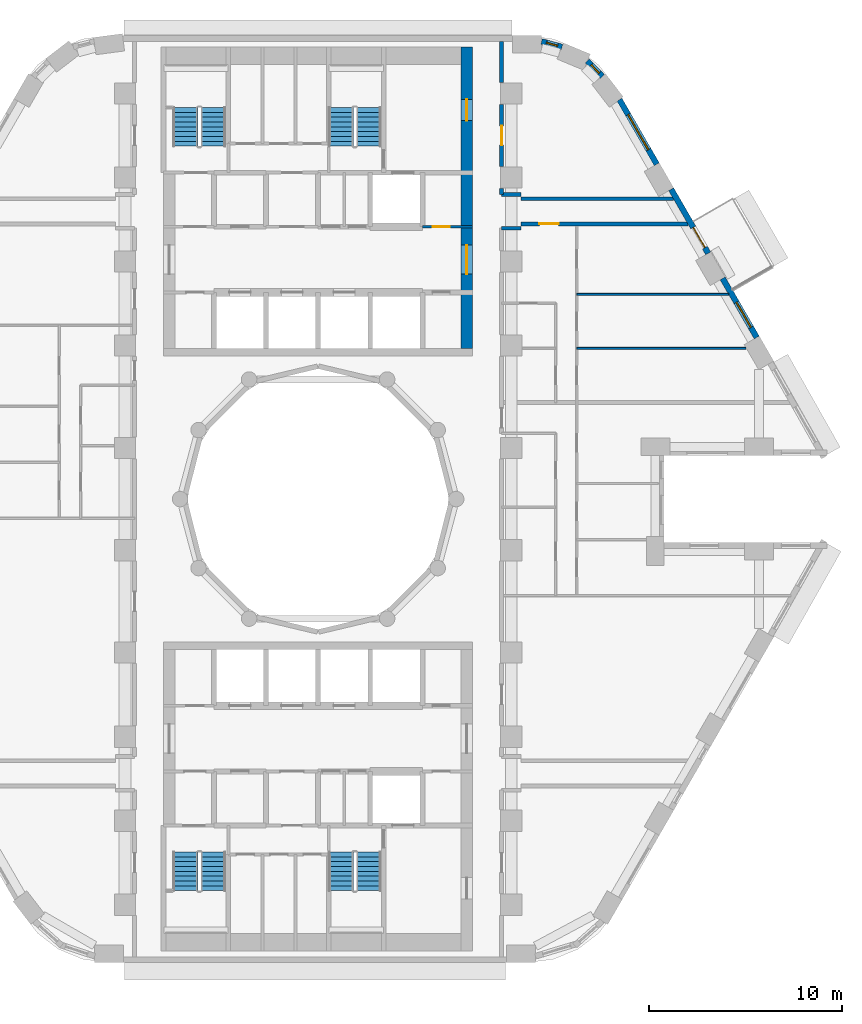
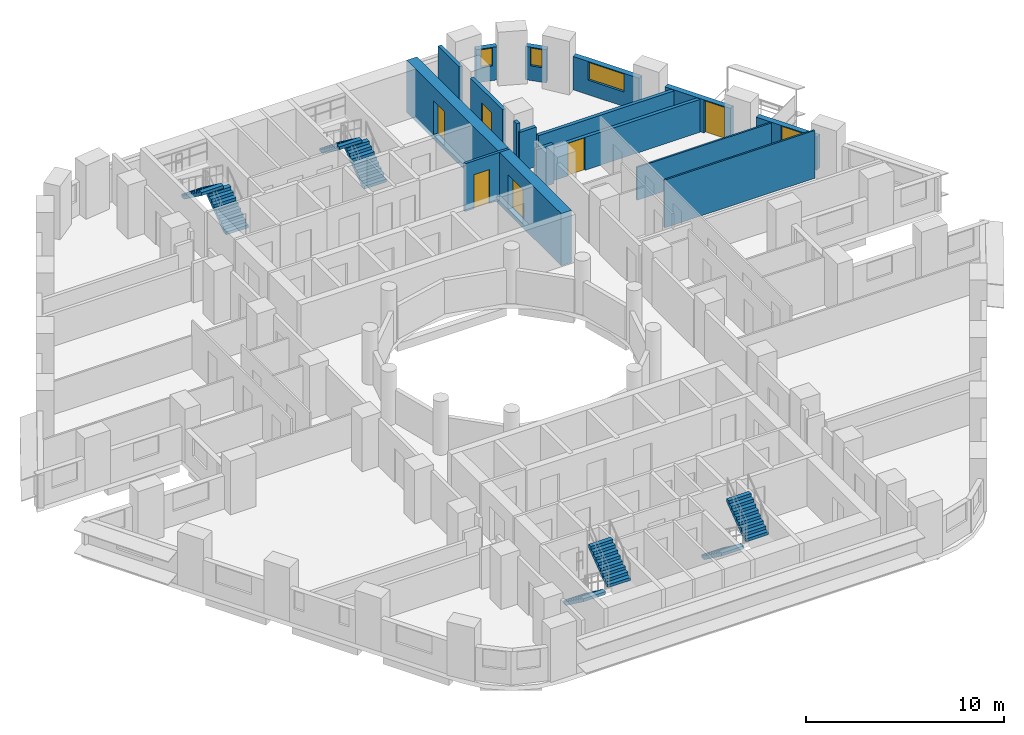
# One storey, part 9 of 13: 16 walls, 8 stair flights, 6 doors, 4 windows, 10 openings, 4 elements without a shape of their own.
"""IFC4 building model written with IfcOpenShell, lengths in metres."""

import ifcopenshell
import ifcopenshell.guid

model = None  # the IFC model being written
_history = None  # IfcOwnerHistory: only IFC2X3 demands one
_inside = {}  # id of a spatial element -> (the spatial element, [elements in it])
_under = {}  # id of a project, library or spatial element -> (it, [spatial elements below it])
_declared = {}  # id of a project -> (the project, [libraries it declares])
_typed = {}  # id of a type object -> (the type object, [elements of that type])
_made_of = {}  # id of a material, layer set ... -> (it, [elements and type objects made of it])


def new_model(schema):
    """Start an empty IFC model of exactly this schema.

    Asked for "IFC4X3", IfcOpenShell would pick the latest addendum, in which some entities
    have other attributes; the version numbers below select the first issue.
    IFC2X3 requires an IfcOwnerHistory on every rooted entity: one is made here for all.
    """
    global model, _history
    if schema == "IFC4X3":
        model = ifcopenshell.file(schema_version=(4, 3, 0, 0))
    else:
        model = ifcopenshell.file(schema=schema)
    _inside.clear()
    _under.clear()
    _declared.clear()
    _typed.clear()
    _made_of.clear()
    _history = None
    if model.schema == "IFC2X3":
        org = make("IfcOrganization", Name="unknown")
        user = make(
            "IfcPersonAndOrganization",
            ThePerson=make("IfcPerson", FamilyName="unknown"),
            TheOrganization=org,
        )
        app = make(
            "IfcApplication",
            ApplicationDeveloper=org,
            Version="unknown",
            ApplicationFullName="unknown",
            ApplicationIdentifier="unknown",
        )
        _history = make(
            "IfcOwnerHistory",
            OwningUser=user,
            OwningApplication=app,
            ChangeAction="ADDED",
            CreationDate=0,
        )
    return model


def make(cls, **values):
    """One entity of the class cls with the attributes given. An attribute that is None is left unset."""
    return model.create_entity(
        cls, **{name: value for name, value in values.items() if value is not None}
    )


def rooted(cls, **values):
    """An entity with a GlobalId (a new one), such as an element, a storey or a relation."""
    return make(cls, GlobalId=ifcopenshell.guid.new(), OwnerHistory=_history, **values)


def si_unit(unit_type, name, prefix=None):
    """IfcSIUnit, for example si_unit("LENGTHUNIT", "METRE", prefix="MILLI")."""
    return make("IfcSIUnit", UnitType=unit_type, Prefix=prefix, Name=name)


def assignment(units):
    """IfcUnitAssignment: the units of a project."""
    return None if units is None else make("IfcUnitAssignment", Units=units)


def point(xyz):
    """IfcCartesianPoint."""
    return None if xyz is None else make("IfcCartesianPoint", Coordinates=xyz)


def direction(xyz):
    """IfcDirection."""
    return None if xyz is None else make("IfcDirection", DirectionRatios=xyz)


def frame(location, z_axis=None, x_axis=None):
    """IfcAxis2Placement3D, a coordinate frame: its origin and axes. An axis left out is left unset."""
    return make(
        "IfcAxis2Placement3D",
        Location=point(location),
        Axis=direction(z_axis),
        RefDirection=direction(x_axis),
    )


def frame_2d(location, x_axis=None):
    """IfcAxis2Placement2D, a coordinate frame in the plane: its origin and x axis."""
    return make(
        "IfcAxis2Placement2D", Location=point(location), RefDirection=direction(x_axis)
    )


def origin():
    """The frame at (0, 0, 0) with its axes left unset."""
    return frame((0.0, 0.0, 0.0))


def place(relative_to, where):
    """IfcLocalPlacement: puts the frame where relative to a parent placement (None: the world)."""
    return make(
        "IfcLocalPlacement", PlacementRelTo=relative_to, RelativePlacement=where
    )


def context(
    kind, dimensions, precision=None, world=None, true_north=None, identifier=None
):
    """IfcGeometricRepresentationContext, for example the 3D "Model" context."""
    return make(
        "IfcGeometricRepresentationContext",
        ContextIdentifier=identifier,
        ContextType=kind,
        CoordinateSpaceDimension=dimensions,
        Precision=precision,
        WorldCoordinateSystem=world,
        TrueNorth=true_north,
    )


def subcontext(parent, identifier, kind, view, scale=None):
    """IfcGeometricRepresentationSubContext, for example "Body" below "Model"."""
    return make(
        "IfcGeometricRepresentationSubContext",
        ContextIdentifier=identifier,
        ContextType=kind,
        ParentContext=parent,
        TargetScale=scale,
        TargetView=view,
    )


def project(units=None, contexts=None):
    """IfcProject with its units and contexts."""
    return rooted(
        "IfcProject",
        Name="project",
        RepresentationContexts=contexts,
        UnitsInContext=assignment(units),
    )


def spatial(cls, under=None, at=None, **own):
    """A site, building, storey or space (cls), placed at a placement, below another one or the project."""
    s = rooted(cls, ObjectPlacement=at, **own)
    if under is not None:
        _under.setdefault(under.id(), (under, []))[1].append(s)
    return s


def polyline(points):
    """IfcPolyline through the points."""
    return make("IfcPolyline", Points=[point(p) for p in points])


def profile(cls, at=None, kind="AREA", **sizes):
    """A parametric profile (cls). Its sizes go by their IFC names, for example OverallWidth=200.0."""
    return make(cls, ProfileType=kind, Position=at, **sizes)


def rectangle(**sizes):
    """IfcRectangleProfileDef."""
    return profile("IfcRectangleProfileDef", **sizes)


def outline(outer, holes=None, kind="AREA"):
    """IfcArbitraryClosedProfileDef: a profile drawn as a closed curve; with holes, ...WithVoids."""
    if holes is None:
        return make("IfcArbitraryClosedProfileDef", ProfileType=kind, OuterCurve=outer)
    return make(
        "IfcArbitraryProfileDefWithVoids",
        ProfileType=kind,
        OuterCurve=outer,
        InnerCurves=holes,
    )


def extrude(swept, where, along, depth):
    """IfcExtrudedAreaSolid: the profile swept, set in the frame where, extruded along a direction by depth."""
    return make(
        "IfcExtrudedAreaSolid",
        SweptArea=swept,
        Position=where,
        ExtrudedDirection=direction(along),
        Depth=depth,
    )


def shape(context_of_items, identifier, shape_type, items):
    """IfcShapeRepresentation: the items that make up one representation, for example the "Body"."""
    return make(
        "IfcShapeRepresentation",
        ContextOfItems=context_of_items,
        RepresentationIdentifier=identifier,
        RepresentationType=shape_type,
        Items=items,
    )


def material(Name=None, Category=None):
    """IfcMaterial."""
    return make("IfcMaterial", Name=Name, Category=Category)


def layer(
    of_material, thickness, ventilated=None, Name=None, Category=None, Priority=None
):
    """IfcMaterialLayer: one layer of a wall or slab, of a material (None: an air gap)."""
    return make(
        "IfcMaterialLayer",
        Material=of_material,
        LayerThickness=thickness,
        IsVentilated=ventilated,
        Name=Name,
        Category=Category,
        Priority=Priority,
    )


def layer_set(layers, Name=None):
    """IfcMaterialLayerSet."""
    return make("IfcMaterialLayerSet", MaterialLayers=layers, LayerSetName=Name)


def made_of(thing, what):
    """Note that an element or type object is made of a material, layer set ...; save() writes the relation."""
    if what is not None:
        _made_of.setdefault(what.id(), (what, []))[1].append(thing)
    return thing


def type_object(cls, material=None, **own):
    """A type object (cls), such as IfcWallType, which elements share."""
    return made_of(rooted(cls, **own), material)


def element(
    cls,
    number,
    at=None,
    inside=None,
    cuts=None,
    type_object=None,
    material=None,
    context=None,
    identifier="Body",
    shape_type=None,
    held_by="IfcProductDefinitionShape",
    body=None,
    shapes=None,
    **own,
):
    """One element of the class cls, such as IfcWall. Its Tag is "e" and its number.

    at: its placement. inside: the storey or other place that contains it. cuts: it is an
    opening in that element (IfcRelVoidsElement). A single representation is given by context,
    identifier, shape_type and body (its items); several are given by shapes. held_by: the class
    of the entity that holds the representations. save() writes the other relations.
    """
    e = rooted(cls, Tag="e%d" % number, ObjectPlacement=at, **own)
    if body is not None:
        shapes = [shape(context, identifier, shape_type, body)]
    if shapes is not None:
        e.Representation = make(held_by, Representations=shapes)
    if inside is not None:
        _inside.setdefault(inside.id(), (inside, []))[1].append(e)
    if cuts is not None:
        rooted(
            "IfcRelVoidsElement", RelatingBuildingElement=cuts, RelatedOpeningElement=e
        )
    if type_object is not None:
        _typed.setdefault(type_object.id(), (type_object, []))[1].append(e)
    return made_of(e, material)


def fill(opening, filler):
    """IfcRelFillsElement: the door or window that sits in an opening."""
    return rooted(
        "IfcRelFillsElement",
        RelatingOpeningElement=opening,
        RelatedBuildingElement=filler,
    )


def aggregate(whole, parts):
    """IfcRelAggregates: a whole, such as a stair, and the parts it consists of."""
    return rooted("IfcRelAggregates", RelatingObject=whole, RelatedObjects=parts)


def save(model, path):
    """Write the relations noted so far, then the file.

    IfcRelAggregates (storeys below a building ...), IfcRelContainedInSpatialStructure (elements
    in a storey), IfcRelDefinesByType, IfcRelAssociatesMaterial and IfcRelDeclares: one each for
    every whole, place, type object, material and project.
    """
    for whole, parts in _under.values():
        aggregate(whole, parts)
    for where, things in _inside.values():
        rooted(
            "IfcRelContainedInSpatialStructure",
            RelatedElements=things,
            RelatingStructure=where,
        )
    for kind, things in _typed.values():
        rooted("IfcRelDefinesByType", RelatedObjects=things, RelatingType=kind)
    for what, things in _made_of.values():
        rooted("IfcRelAssociatesMaterial", RelatedObjects=things, RelatingMaterial=what)
    for by, libraries in _declared.values():
        rooted("IfcRelDeclares", RelatingContext=by, RelatedDefinitions=libraries)
    model.write(path)


model = new_model("IFC4")

# Units and contexts
model_context = context("Model", 3, precision=1e-05, world=origin(), true_north=direction((0.0, 1.0)))
body_context = subcontext(model_context, "Body", "Model", "MODEL_VIEW")
ifc_project = project(units=[si_unit("LENGTHUNIT", "METRE"), si_unit("AREAUNIT", "SQUARE_METRE"), si_unit("VOLUMEUNIT", "CUBIC_METRE"), si_unit("PLANEANGLEUNIT", "RADIAN"), si_unit("MASSUNIT", "GRAM", prefix="KILO")], contexts=[model_context])

# Site, building, storey
site_placement = place(None, origin())
site = spatial("IfcSite", under=ifc_project, at=site_placement, CompositionType="ELEMENT")
building_placement = place(site_placement, origin())
building = spatial("IfcBuilding", under=site, at=building_placement, Name="Nakaniwa Court", CompositionType="ELEMENT")
storey_placement = place(building_placement, frame((0.0, 0.0, 67.800048828125)))
storey = spatial("IfcBuildingStorey", under=building, at=storey_placement, Name="L18", CompositionType="ELEMENT", Elevation=67.800048828125)

# Wall
ifc_material_1 = material(Name="Acoustic double stud partition")
ifc_layer_1 = layer(ifc_material_1, 0.199951171875)
ifc_layer_set_1 = layer_set([ifc_layer_1], Name="Acoustic double stud partition")
wall_type_1 = type_object("IfcWallType", Name="Acoustic double stud partition 200", PredefinedType="PARTITIONING", material=ifc_layer_set_1)
wall_1_placement = place(storey_placement, frame((89.5, 95.77197265625, 0.0), z_axis=(0.0, 0.0, 1.0), x_axis=(0.0, 1.0, 0.0)))
element("IfcWall", 1, at=wall_1_placement, inside=storey, type_object=wall_type_1, Name="Partition PW-081", PredefinedType="PARTITIONING", context=body_context, shape_type="SweptSolid", body=[
    extrude(rectangle(XDim=0.31103515625, YDim=0.199951171875, at=frame_2d((0.155517578125, 0.0))), origin(), (0.0, 0.0, 1.0), 2.949951171875),
])

# Wall, opening, door
wall_2_placement = place(storey_placement, frame((89.5, 100.43310546875, 0.0), z_axis=(0.0, 0.0, 1.0), x_axis=(0.0, -1.0, 0.0)))
wall_2 = element("IfcWall", 2, at=wall_2_placement, inside=storey, type_object=wall_type_1, Name="Partition PW-082", PredefinedType="PARTITIONING", context=body_context, shape_type="SweptSolid", body=[
    extrude(rectangle(XDim=3.216064453125, YDim=0.199951171875, at=frame_2d((1.60791015625, 0.0))), origin(), (0.0, 0.0, 1.0), 2.949951171875),
])
opening_1_placement = place(wall_2_placement, frame((1.10791015625, 0.0, 0.0)))
opening_1 = element("IfcOpeningElement", 3, at=opening_1_placement, cuts=wall_2, Name="Opening D-02-03", PredefinedType="OPENING", context=body_context, shape_type="SweptSolid", body=[
    extrude(rectangle(XDim=1.0, YDim=2.10009765625, at=frame_2d((0.5, 1.050048828125))), frame((0.0, 0.10986328125, 0.0), z_axis=(0.0, -1.0, 0.0), x_axis=(1.0, 0.0, 0.0)), (0.0, 0.0, 1.0), 0.219970703125),
])
ifc_material_2 = material(Name="Solid core timber door set, black veneer", Category="wood")
door_type_1 = type_object("IfcDoorType", Name="Internal door 1000", OperationType="NOTDEFINED", PredefinedType="DOOR", material=ifc_material_2)
door_1_placement = place(opening_1_placement, origin())
door_1 = element("IfcDoor", 4, at=door_1_placement, inside=storey, type_object=door_type_1, Name="Door D-02-03 L18-043", OperationType="SINGLE_SWING_RIGHT", OverallHeight=2.10009765625, OverallWidth=1.0, PredefinedType="DOOR", context=body_context, shape_type="SweptSolid", body=[
    extrude(rectangle(XDim=1.0, YDim=2.10009765625, at=frame_2d((0.5, 1.050048828125))), frame((0.0, 0.02490234375, 0.0), z_axis=(0.0, -1.0, 0.0), x_axis=(1.0, 0.0, 0.0)), (0.0, 0.0, 1.0), 0.050048828125),
])
fill(opening_1, door_1)

# Wall
wall_3_placement = place(storey_placement, frame((89.5, 101.56689453125, 0.0), z_axis=(0.0, 0.0, 1.0), x_axis=(0.0, 1.0, 0.0)))
element("IfcWall", 5, at=wall_3_placement, inside=storey, type_object=wall_type_1, Name="Partition PW-083", PredefinedType="PARTITIONING", context=body_context, shape_type="SweptSolid", body=[
    extrude(rectangle(XDim=2.133056640625, YDim=0.199951171875, at=frame_2d((1.06640625, 0.0))), origin(), (0.0, 0.0, 1.0), 2.949951171875),
])

# Wall, opening, door
wall_4_placement = place(storey_placement, frame((99.13916015625, 94.25, 0.0), z_axis=(0.0, 0.0, 1.0), x_axis=(-1.0, 0.0, 0.0)))
wall_4 = element("IfcWall", 6, at=wall_4_placement, inside=storey, type_object=wall_type_1, Name="Partition PW-085", PredefinedType="PARTITIONING", context=body_context, shape_type="SweptSolid", body=[
    extrude(rectangle(XDim=8.63916015625, YDim=0.199951171875, at=frame_2d((4.319580078125, 0.0))), origin(), (0.0, 0.0, 1.0), 2.030029296875),
])
opening_2_placement = place(wall_4_placement, frame((6.68896484375, 0.0, 0.0)))
opening_2 = element("IfcOpeningElement", 7, at=opening_2_placement, cuts=wall_4, Name="Opening D-34-01", PredefinedType="OPENING", context=body_context, shape_type="SweptSolid", body=[
    extrude(rectangle(XDim=1.0, YDim=2.010009765625, at=frame_2d((0.5, 1.0048828125))), frame((0.0, 0.10986328125, 0.0), z_axis=(0.0, -1.0, 0.0), x_axis=(1.0, 0.0, 0.0)), (0.0, 0.0, 1.0), 0.219970703125),
])
door_type_2 = type_object("IfcDoorType", Name="Flat entrance door 1000 x 2010", OperationType="NOTDEFINED", PredefinedType="DOOR", material=ifc_material_2)
door_2_placement = place(opening_2_placement, origin())
door_2 = element("IfcDoor", 8, at=door_2_placement, inside=storey, type_object=door_type_2, Name="Door D-34-01 L18-037", OperationType="SINGLE_SWING_RIGHT", OverallHeight=2.010009765625, OverallWidth=1.0, PredefinedType="DOOR", context=body_context, shape_type="SweptSolid", body=[
    extrude(rectangle(XDim=1.0, YDim=2.010009765625, at=frame_2d((0.5, 1.0048828125))), frame((0.0, 0.02490234375, 0.0), z_axis=(0.0, -1.0, 0.0), x_axis=(1.0, 0.0, 0.0)), (0.0, 0.0, 1.0), 0.050048828125),
])
fill(opening_2, door_2)

# Walls
for number, where, z_axis, x_axis, name in (
    (9, (89.5, 94.02490234375, 0.0), (0.0, 0.0, 1.0), (1.0, 0.0, 0.0), "Partition PW-087"),
    (10, (89.5, 95.77490234375, 0.0), (0.0, 0.0, 1.0), (1.0, 0.0, 0.0), "Partition PW-089"),
):
    element("IfcWall", number, at=place(storey_placement, frame(where, z_axis=z_axis, x_axis=x_axis)), inside=storey, type_object=wall_type_1, Name=name, PredefinedType="PARTITIONING", context=body_context, shape_type="SweptSolid", body=[
        extrude(rectangle(XDim=1.0, YDim=0.199951171875, at=frame_2d((0.5, 0.0))), origin(), (0.0, 0.0, 1.0), 2.429931640625),
    ])
wall_5_placement = place(storey_placement, frame((90.5, 95.550048828125, 0.0), z_axis=(0.0, 0.0, 1.0), x_axis=(1.0, 0.0, 0.0)))
element("IfcWall", 11, at=wall_5_placement, inside=storey, type_object=wall_type_1, Name="Partition PW-091", PredefinedType="PARTITIONING", context=body_context, shape_type="SweptSolid", body=[
    extrude(rectangle(XDim=7.888671875, YDim=0.199951171875, at=frame_2d((3.9443359375, 0.0))), origin(), (0.0, 0.0, 1.0), 2.030029296875),
])

# Wall, opening, window
ifc_material_3 = material(Name="Charcoal ceramic cladding")
ifc_layer_2 = layer(ifc_material_3, 0.02, Name="Ceramic cladding")
ifc_material_4 = material(Name="Ventilated air cavity")
ifc_layer_3 = layer(ifc_material_4, 0.04, ventilated=True, Name="Ventilated cavity")
ifc_material_5 = material(Name="Mineral wool insulation")
ifc_layer_4 = layer(ifc_material_5, 0.1, Name="Insulation")
ifc_material_6 = material(Name="Cement bonded sheathing board")
ifc_layer_5 = layer(ifc_material_6, 0.012, Name="Sheathing")
ifc_material_7 = material(Name="Cold-formed galvanised stud frame with mineral wool infill")
ifc_layer_6 = layer(ifc_material_7, 0.1, Name="Stud frame")
ifc_material_8 = material(Name="Fire-rated gypsum plasterboard lining")
ifc_layer_7 = layer(ifc_material_8, 0.028, Name="Lining")
ifc_layer_set_2 = layer_set([ifc_layer_2, ifc_layer_3, ifc_layer_4, ifc_layer_5, ifc_layer_6, ifc_layer_7], Name="Charcoal ceramic faced external wall system")
wall_type_2 = type_object("IfcWallType", Name="Black ceramic faced external wall 300", PredefinedType="SOLIDWALL", material=ifc_layer_set_2)
wall_6_placement = place(storey_placement, frame((102.709716796875, 88.36572265625, 0.0), z_axis=(0.0, 0.0, 1.0), x_axis=(-0.499977402622, 0.866038449993, 0.0)))
wall_6 = element("IfcWall", 12, at=wall_6_placement, inside=storey, type_object=wall_type_2, Name="L18 external wall 03", PredefinedType="SOLIDWALL", context=body_context, shape_type="SweptSolid", body=[
    extrude(rectangle(XDim=3.536865234375, YDim=0.300048828125, at=frame_2d((1.7685546875, 0.0))), origin(), (0.0, 0.0, 1.0), 2.050048828125),
])
opening_3_placement = place(wall_6_placement, frame((0.60107421875, 0.0, 0.89990234375)))
opening_3 = element("IfcOpeningElement", 13, at=opening_3_placement, cuts=wall_6, Name="Opening W5.05", PredefinedType="OPENING", context=body_context, shape_type="SweptSolid", body=[
    extrude(rectangle(XDim=1.5, YDim=1.10009765625, at=frame_2d((0.75, 0.550048828125))), frame((0.0, 0.159912109375, 0.0), z_axis=(0.0, -1.0, 0.0), x_axis=(1.0, 0.0, 0.0)), (0.0, 0.0, 1.0), 0.320068359375),
])
ifc_material_9 = material(Name="Black anodised aluminium frame with dark low-E laminated double glazing", Category="aluminium")
window_type_1 = type_object("IfcWindowType", Name="Dark glass window 1500x1100 sill 900", PartitioningType="SINGLE_PANEL", PredefinedType="WINDOW", material=ifc_material_9)
window_1_placement = place(opening_3_placement, origin())
window_1 = element("IfcWindow", 14, at=window_1_placement, inside=storey, type_object=window_type_1, Name="L18 bedroom window 03-0", OverallHeight=1.10009765625, OverallWidth=1.5, PartitioningType="SINGLE_PANEL", PredefinedType="WINDOW", context=body_context, shape_type="SweptSolid", body=[
    extrude(rectangle(XDim=1.5, YDim=1.10009765625, at=frame_2d((0.75, 0.550048828125))), frame((0.0, 0.030029296875, 0.0), z_axis=(0.0, -1.0, 0.0), x_axis=(1.0, 0.0, 0.0)), (0.0, 0.0, 1.0), 0.06005859375),
])
fill(opening_3, window_1)

# Wall, opening, door
wall_7_placement = place(storey_placement, frame((100.1953125, 92.720703125, 0.0), z_axis=(0.0, 0.0, 1.0), x_axis=(-0.500001735503, 0.866024401789, 0.0)))
wall_7 = element("IfcWall", 15, at=wall_7_placement, inside=storey, type_object=wall_type_2, Name="L18 external wall 04", PredefinedType="SOLIDWALL", context=body_context, shape_type="SweptSolid", body=[
    extrude(rectangle(XDim=3.833984375, YDim=0.300048828125, at=frame_2d((1.9169921875, 0.0))), origin(), (0.0, 0.0, 1.0), 2.050048828125),
])
opening_4_placement = place(wall_7_placement, frame((0.343994140625, 0.0, 0.0)))
opening_4 = element("IfcOpeningElement", 16, at=opening_4_placement, cuts=wall_7, Name="Opening XD10.01", PredefinedType="OPENING", context=body_context, shape_type="SweptSolid", body=[
    extrude(rectangle(XDim=1.199951171875, YDim=2.0, at=frame_2d((0.60009765625, 1.0))), frame((0.0, 0.159912109375, 0.0), z_axis=(0.0, -1.0, 0.0), x_axis=(1.0, 0.0, 0.0)), (0.0, 0.0, 1.0), 0.320068359375),
])
ifc_material_10 = material(Name="Black powder-coated aluminium frame with dark laminated glass", Category="aluminium")
door_type_3 = type_object("IfcDoorType", Name="Balcony sliding door 1200x2000", OperationType="SLIDING_TO_LEFT", PredefinedType="DOOR", material=ifc_material_10)
door_3_placement = place(opening_4_placement, origin())
door_3 = element("IfcDoor", 17, at=door_3_placement, inside=storey, type_object=door_type_3, Name="L18 balcony sliding door 01", OperationType="SLIDING_TO_LEFT", OverallHeight=2.0, OverallWidth=1.199951171875, PredefinedType="DOOR", context=body_context, shape_type="SweptSolid", body=[
    extrude(rectangle(XDim=1.199951171875, YDim=2.0, at=frame_2d((0.60009765625, 1.0))), frame((0.0, 0.02490234375, 0.0), z_axis=(0.0, -1.0, 0.0), x_axis=(1.0, 0.0, 0.0)), (0.0, 0.0, 1.0), 0.050048828125),
])
fill(opening_4, door_3)

# Wall, opening, window
wall_8_placement = place(storey_placement, frame((97.5322265625, 97.3330078125, 0.0), z_axis=(0.0, 0.0, 1.0), x_axis=(-0.499948341072, 0.866055227026, 0.0)))
wall_8 = element("IfcWall", 18, at=wall_8_placement, inside=storey, type_object=wall_type_2, Name="L18 external wall 05", PredefinedType="SOLIDWALL", context=body_context, shape_type="SweptSolid", body=[
    extrude(rectangle(XDim=3.8671875, YDim=0.300048828125, at=frame_2d((1.93359375, 0.0))), origin(), (0.0, 0.0, 1.0), 2.050048828125),
])
opening_5_placement = place(wall_8_placement, frame((0.872314453125, 0.0, 0.89990234375)))
opening_5 = element("IfcOpeningElement", 19, at=opening_5_placement, cuts=wall_8, Name="Opening W7.06", PredefinedType="OPENING", context=body_context, shape_type="SweptSolid", body=[
    extrude(rectangle(XDim=2.10009765625, YDim=1.10009765625, at=frame_2d((1.050048828125, 0.550048828125))), frame((0.0, 0.159912109375, 0.0), z_axis=(0.0, -1.0, 0.0), x_axis=(1.0, 0.0, 0.0)), (0.0, 0.0, 1.0), 0.320068359375),
])
window_type_2 = type_object("IfcWindowType", Name="Dark glass window 2100x1100 sill 900", PartitioningType="SINGLE_PANEL", PredefinedType="WINDOW", material=ifc_material_9)
window_2_placement = place(opening_5_placement, origin())
window_2 = element("IfcWindow", 20, at=window_2_placement, inside=storey, type_object=window_type_2, Name="L18 habitable room window 05-0", OverallHeight=1.10009765625, OverallWidth=2.10009765625, PartitioningType="SINGLE_PANEL", PredefinedType="WINDOW", context=body_context, shape_type="SweptSolid", body=[
    extrude(rectangle(XDim=2.10009765625, YDim=1.10009765625, at=frame_2d((1.050048828125, 0.550048828125))), frame((0.0, 0.030029296875, 0.0), z_axis=(0.0, -1.0, 0.0), x_axis=(1.0, 0.0, 0.0)), (0.0, 0.0, 1.0), 0.06005859375),
])
fill(opening_5, window_2)

wall_9_placement = place(storey_placement, frame((94.712646484375, 101.8828125, 0.0), z_axis=(0.0, 0.0, 1.0), x_axis=(-0.696138968055, 0.717907053285, 0.0)))
wall_9 = element("IfcWall", 21, at=wall_9_placement, inside=storey, type_object=wall_type_2, Name="L18 external wall 06", PredefinedType="SOLIDWALL", context=body_context, shape_type="SweptSolid", body=[
    extrude(rectangle(XDim=1.1103515625, YDim=0.300048828125, at=frame_2d((0.55517578125, 0.0))), origin(), (0.0, 0.0, 1.0), 2.050048828125),
])
opening_6_placement = place(wall_9_placement, frame((0.230712890625, 0.0, 0.89990234375)))
opening_6 = element("IfcOpeningElement", 22, at=opening_6_placement, cuts=wall_9, Name="Opening W8.07", PredefinedType="OPENING", context=body_context, shape_type="SweptSolid", body=[
    extrude(rectangle(XDim=0.60009765625, YDim=1.10009765625, at=frame_2d((0.300048828125, 0.550048828125))), frame((0.0, 0.159912109375, 0.0), z_axis=(0.0, -1.0, 0.0), x_axis=(1.0, 0.0, 0.0)), (0.0, 0.0, 1.0), 0.320068359375),
])
window_type_3 = type_object("IfcWindowType", Name="Dark glass window 600x1100 sill 900", PartitioningType="SINGLE_PANEL", PredefinedType="WINDOW", material=ifc_material_9)
window_3_placement = place(opening_6_placement, origin())
window_3 = element("IfcWindow", 23, at=window_3_placement, inside=storey, type_object=window_type_3, Name="L18 habitable room window 06-0", OverallHeight=1.10009765625, OverallWidth=0.60009765625, PartitioningType="SINGLE_PANEL", PredefinedType="WINDOW", context=body_context, shape_type="SweptSolid", body=[
    extrude(rectangle(XDim=0.60009765625, YDim=1.10009765625, at=frame_2d((0.300048828125, 0.550048828125))), frame((0.0, 0.030029296875, 0.0), z_axis=(0.0, -1.0, 0.0), x_axis=(1.0, 0.0, 0.0)), (0.0, 0.0, 1.0), 0.06005859375),
])
fill(opening_6, window_3)

wall_10_placement = place(storey_placement, frame((92.62548828125, 103.406982421875, 0.0), z_axis=(0.0, 0.0, 1.0), x_axis=(-0.96522637192, 0.261415475728, 0.0)))
wall_10 = element("IfcWall", 24, at=wall_10_placement, inside=storey, type_object=wall_type_2, Name="L18 external wall 07", PredefinedType="SOLIDWALL", context=body_context, shape_type="SweptSolid", body=[
    extrude(rectangle(XDim=1.0927734375, YDim=0.300048828125, at=frame_2d((0.54638671875, 0.0))), origin(), (0.0, 0.0, 1.0), 2.050048828125),
])
opening_7_placement = place(wall_10_placement, frame((0.236083984375, 0.0, 0.89990234375)))
opening_7 = element("IfcOpeningElement", 25, at=opening_7_placement, cuts=wall_10, Name="Opening W8.08", PredefinedType="OPENING", context=body_context, shape_type="SweptSolid", body=[
    extrude(rectangle(XDim=0.60009765625, YDim=1.10009765625, at=frame_2d((0.300048828125, 0.550048828125))), frame((0.0, 0.159912109375, 0.0), z_axis=(0.0, -1.0, 0.0), x_axis=(1.0, 0.0, 0.0)), (0.0, 0.0, 1.0), 0.320068359375),
])
window_4_placement = place(opening_7_placement, origin())
window_4 = element("IfcWindow", 26, at=window_4_placement, inside=storey, type_object=window_type_3, Name="L18 habitable room window 07-0", OverallHeight=1.10009765625, OverallWidth=0.60009765625, PartitioningType="SINGLE_PANEL", PredefinedType="WINDOW", context=body_context, shape_type="SweptSolid", body=[
    extrude(rectangle(XDim=0.60009765625, YDim=1.10009765625, at=frame_2d((0.300048828125, 0.550048828125))), frame((0.0, 0.030029296875, 0.0), z_axis=(0.0, -1.0, 0.0), x_axis=(1.0, 0.0, 0.0)), (0.0, 0.0, 1.0), 0.06005859375),
])
fill(opening_7, window_4)

# Wall, opening, door
ifc_material_11 = material(Name="Blockwork partition", Category="masonry")
ifc_layer_8 = layer(ifc_material_11, 0.14990234375)
ifc_layer_set_3 = layer_set([ifc_layer_8], Name="Blockwork partition")
wall_type_3 = type_object("IfcWallType", Name="Blockwork partition 150", PredefinedType="PARTITIONING", material=ifc_layer_set_3)
wall_11_placement = place(storey_placement, frame((85.39697265625, 94.10009765625, 0.0), z_axis=(0.0, 0.0, 1.0), x_axis=(1.0, 0.0, 0.0)))
wall_11 = element("IfcWall", 27, at=wall_11_placement, inside=storey, type_object=wall_type_3, Name="Partition PW-018", PredefinedType="PARTITIONING", context=body_context, shape_type="SweptSolid", body=[
    extrude(rectangle(XDim=2.60302734375, YDim=0.14990234375, at=frame_2d((1.301513671875, 0.0))), origin(), (0.0, 0.0, 1.0), 2.949951171875),
])
opening_8_placement = place(wall_11_placement, frame((0.528076171875, 0.0, 0.0)))
opening_8 = element("IfcOpeningElement", 28, at=opening_8_placement, cuts=wall_11, Name="Opening D-05-06", PredefinedType="OPENING", context=body_context, shape_type="SweptSolid", body=[
    extrude(rectangle(XDim=0.89990234375, YDim=2.10009765625, at=frame_2d((0.449951171875, 1.050048828125))), frame((0.0, 0.0849609375, 0.0), z_axis=(0.0, -1.0, 0.0), x_axis=(1.0, 0.0, 0.0)), (0.0, 0.0, 1.0), 0.169921875),
])
ifc_material_12 = material(Name="Fire rated steel door set", Category="steel")
door_type_4 = type_object("IfcDoorType", Name="Service room door 900", OperationType="NOTDEFINED", PredefinedType="DOOR", material=ifc_material_12)
door_4_placement = place(opening_8_placement, origin())
door_4 = element("IfcDoor", 29, at=door_4_placement, inside=storey, type_object=door_type_4, Name="Door D-05-06 L18-008", OperationType="SINGLE_SWING_LEFT", OverallHeight=2.10009765625, OverallWidth=0.89990234375, PredefinedType="DOOR", context=body_context, shape_type="SweptSolid", body=[
    extrude(rectangle(XDim=0.89990234375, YDim=2.10009765625, at=frame_2d((0.449951171875, 1.050048828125))), frame((0.0, 0.02490234375, 0.0), z_axis=(0.0, -1.0, 0.0), x_axis=(1.0, 0.0, 0.0)), (0.0, 0.0, 1.0), 0.050048828125),
])
fill(opening_8, door_4)

# Wall, openings, doors
ifc_material_13 = material(Name="Concrete C100/115", Category="concrete")
ifc_layer_9 = layer(ifc_material_13, 0.60009765625)
ifc_layer_set_4 = layer_set([ifc_layer_9], Name="Concrete C100/115")
wall_type_4 = type_object("IfcWallType", Name="Concrete core side wall 600 C100", PredefinedType="SHEAR", material=ifc_layer_set_4)
wall_12_placement = place(storey_placement, frame((87.699951171875, 103.39990234375, -0.275146484375), z_axis=(0.0, 0.0, 1.0), x_axis=(0.0, -1.0, 0.0)))
wall_12 = element("IfcWall", 30, at=wall_12_placement, inside=storey, type_object=wall_type_4, Name="Core wall SW-15", PredefinedType="SHEAR", context=body_context, shape_type="SweptSolid", body=[
    extrude(rectangle(XDim=15.599853515625, YDim=0.60009765625, at=frame_2d((7.7998046875, 0.0))), origin(), (0.0, 0.0, 1.0), 3.22509765625),
])
opening_9_placement = place(wall_12_placement, frame((10.25, 0.0, 0.27490234375)))
opening_9 = element("IfcOpeningElement", 31, at=opening_9_placement, cuts=wall_12, Name="Opening D-07-01", PredefinedType="OPENING", context=body_context, shape_type="SweptSolid", body=[
    extrude(rectangle(XDim=1.5, YDim=2.10009765625, at=frame_2d((0.75, 1.050048828125))), frame((0.0, 0.31005859375, 0.0), z_axis=(0.0, -1.0, 0.0), x_axis=(1.0, 0.0, 0.0)), (0.0, 0.0, 1.0), 0.6201171875),
])
opening_10_placement = place(wall_12_placement, frame((2.699951171875, 0.0, 0.27490234375)))
opening_10 = element("IfcOpeningElement", 32, at=opening_10_placement, cuts=wall_12, Name="Opening D-10-01", PredefinedType="OPENING", context=body_context, shape_type="SweptSolid", body=[
    extrude(rectangle(XDim=1.10009765625, YDim=2.10009765625, at=frame_2d((0.550048828125, 1.050048828125))), frame((0.0, 0.31005859375, 0.0), z_axis=(0.0, -1.0, 0.0), x_axis=(1.0, 0.0, 0.0)), (0.0, 0.0, 1.0), 0.6201171875),
])
door_type_5 = type_object("IfcDoorType", Name="Firefighting lobby door 1100", OperationType="NOTDEFINED", PredefinedType="DOOR", material=ifc_material_12)
door_5_placement = place(opening_10_placement, origin())
door_5 = element("IfcDoor", 33, at=door_5_placement, inside=storey, type_object=door_type_5, Name="Door D-10-01 L18-056", OperationType="SINGLE_SWING_LEFT", OverallHeight=2.10009765625, OverallWidth=1.10009765625, PredefinedType="DOOR", context=body_context, shape_type="SweptSolid", body=[
    extrude(rectangle(XDim=1.10009765625, YDim=2.10009765625, at=frame_2d((0.550048828125, 1.050048828125))), frame((0.0, 0.02490234375, 0.0), z_axis=(0.0, -1.0, 0.0), x_axis=(1.0, 0.0, 0.0)), (0.0, 0.0, 1.0), 0.050048828125),
])
fill(opening_10, door_5)
ifc_material_14 = material(Name="Glazed fire rated steel double door set", Category="steel")
door_type_6 = type_object("IfcDoorType", Name="Lobby double door 1500", OperationType="NOTDEFINED", PredefinedType="DOOR", material=ifc_material_14)
door_6_placement = place(opening_9_placement, origin())
door_6 = element("IfcDoor", 34, at=door_6_placement, inside=storey, type_object=door_type_6, Name="Door D-07-01 L18-054", OperationType="DOUBLE_DOOR_SINGLE_SWING", OverallHeight=2.10009765625, OverallWidth=1.5, PredefinedType="DOOR", context=body_context, shape_type="SweptSolid", body=[
    extrude(rectangle(XDim=1.5, YDim=2.10009765625, at=frame_2d((0.75, 1.050048828125))), frame((0.0, 0.02490234375, 0.0), z_axis=(0.0, -1.0, 0.0), x_axis=(1.0, 0.0, 0.0)), (0.0, 0.0, 1.0), 0.050048828125),
])
fill(opening_9, door_6)

# Walls
ifc_material_15 = material(Name="Single stud plasterboard partition")
ifc_layer_10 = layer(ifc_material_15, 0.10009765625)
ifc_layer_set_5 = layer_set([ifc_layer_10], Name="Single stud plasterboard partition")
wall_type_5 = type_object("IfcWallType", Name="Single stud plasterboard partition 100", PredefinedType="PARTITIONING", material=ifc_layer_set_5)
wall_13_placement = place(storey_placement, frame((93.39990234375, 87.800048828125, 0.0), z_axis=(0.0, 0.0, 1.0), x_axis=(1.0, 0.0, 0.0)))
element("IfcWall", 35, at=wall_13_placement, inside=storey, type_object=wall_type_5, Name="Partition PW-124", PredefinedType="PARTITIONING", context=body_context, shape_type="SweptSolid", body=[
    extrude(rectangle(XDim=8.747314453125, YDim=0.10009765625, at=frame_2d((4.37353515625, 0.0))), origin(), (0.0, 0.0, 1.0), 2.949951171875),
])
wall_14_placement = place(storey_placement, frame((93.39990234375, 90.60009765625, 0.0), z_axis=(0.0, 0.0, 1.0), x_axis=(1.0, 0.0, 0.0)))
element("IfcWall", 36, at=wall_14_placement, inside=storey, type_object=wall_type_5, Name="Partition PW-125", PredefinedType="PARTITIONING", context=body_context, shape_type="SweptSolid", body=[
    extrude(rectangle(XDim=7.846435546875, YDim=0.10009765625, at=frame_2d((3.92333984375, 0.0))), origin(), (0.0, 0.0, 1.0), 2.030029296875),
])

# Stair, stair flights
ifc_material_16 = material(Name="Concrete C80/100", Category="concrete")
stair_type = type_object("IfcStairType", Name="Dog leg stair 1300 wide 18 risers", PredefinedType="HALF_TURN_STAIR", material=ifc_material_16)
stair_1_placement = place(storey_placement, origin())
stair_1 = element("IfcStair", 37, at=stair_1_placement, inside=storey, type_object=stair_type, Name="L18 Stair ST1", PredefinedType="HALF_TURN_STAIR")
stair_flight_type = type_object("IfcStairFlightType", Name="Stair flight 1300 wide 9 risers", PredefinedType="STRAIGHT", material=ifc_material_16)
stair_flight_1_placement = place(storey_placement, frame((74.574951171875, 98.27490234375, 0.0), z_axis=(0.0, 0.0, 1.0), x_axis=(0.0, 1.0, 0.0)))
stair_flight_1 = element("IfcStairFlight", 38, at=stair_flight_1_placement, type_object=stair_flight_type, Name="ST1 flight 1", NumberOfRisers=9, NumberOfTreads=8, PredefinedType="STRAIGHT", RiserHeight=0.183333333, TreadLength=0.25, context=body_context, shape_type="SweptSolid", body=[
    extrude(outline(polyline([(0.0, 0.0), (0.0, 0.026123046875), (0.0, 0.052490234375), (0.0, 0.07861328125), (0.0, 0.104736328125), (0.0, 0.130859375), (0.0, 0.1572265625), (0.0, 0.183349609375), (0.25, 0.183349609375), (0.25, 0.36669921875), (0.5, 0.36669921875), (0.5, 0.550048828125), (0.75, 0.550048828125), (0.75, 0.7333984375), (1.0, 0.7333984375), (1.0, 0.916748046875), (1.25, 0.916748046875), (1.25, 1.10009765625), (1.5, 1.10009765625), (1.5, 1.283447265625), (1.75, 1.283447265625), (1.75, 1.466552734375), (2.0, 1.466552734375), (2.0, 1.64990234375), (2.0, 1.59716796875), (2.0, 1.54443359375), (2.0, 1.49169921875), (2.0, 1.43896484375), (2.0, 1.38623046875), (2.0, 1.33349609375), (2.0, 1.28076171875), (0.25341796875, 0.0), (0.0, 0.0)])), frame((0.0, 0.64990234375, 0.0), z_axis=(0.0, -1.0, 0.0), x_axis=(1.0, 0.0, 0.0)), (0.0, 0.0, 1.0), 1.300048828125),
])
stair_flight_2_placement = place(storey_placement, frame((73.125, 100.27490234375, 1.64990234375), z_axis=(0.0, 0.0, 1.0), x_axis=(0.0, -1.0, 0.0)))
stair_flight_2 = element("IfcStairFlight", 39, at=stair_flight_2_placement, type_object=stair_flight_type, Name="ST1 flight 2", NumberOfRisers=9, NumberOfTreads=8, PredefinedType="STRAIGHT", RiserHeight=0.183333333, TreadLength=0.25, context=body_context, shape_type="SweptSolid", body=[
    extrude(outline(polyline([(0.0, 0.0), (0.0, 0.026123046875), (0.0, 0.052490234375), (0.0, 0.07861328125), (0.0, 0.104736328125), (0.0, 0.130859375), (0.0, 0.1572265625), (0.0, 0.183349609375), (0.25, 0.183349609375), (0.25, 0.36669921875), (0.5, 0.36669921875), (0.5, 0.550048828125), (0.75, 0.550048828125), (0.75, 0.7333984375), (1.0, 0.7333984375), (1.0, 0.916748046875), (1.25, 0.916748046875), (1.25, 1.10009765625), (1.5, 1.10009765625), (1.5, 1.283447265625), (1.75, 1.283447265625), (1.75, 1.466552734375), (2.0, 1.466552734375), (2.0, 1.64990234375), (2.0, 1.59716796875), (2.0, 1.54443359375), (2.0, 1.49169921875), (2.0, 1.43896484375), (2.0, 1.38623046875), (2.0, 1.33349609375), (2.0, 1.28076171875), (0.25341796875, 0.0), (0.0, 0.0)])), frame((0.0, 0.64990234375, 0.0), z_axis=(0.0, -1.0, 0.0), x_axis=(1.0, 0.0, 0.0)), (0.0, 0.0, 1.0), 1.300048828125),
])
aggregate(stair_1, [stair_flight_1, stair_flight_2])

stair_2_placement = place(storey_placement, origin())
stair_2 = element("IfcStair", 40, at=stair_2_placement, inside=storey, type_object=stair_type, Name="L18 Stair ST2", PredefinedType="HALF_TURN_STAIR")
stair_flight_3_placement = place(storey_placement, frame((82.625, 98.27490234375, 0.0), z_axis=(0.0, 0.0, 1.0), x_axis=(0.0, 1.0, 0.0)))
stair_flight_3 = element("IfcStairFlight", 41, at=stair_flight_3_placement, type_object=stair_flight_type, Name="ST2 flight 1", NumberOfRisers=9, NumberOfTreads=8, PredefinedType="STRAIGHT", RiserHeight=0.183333333, TreadLength=0.25, context=body_context, shape_type="SweptSolid", body=[
    extrude(outline(polyline([(0.0, 0.0), (0.0, 0.026123046875), (0.0, 0.052490234375), (0.0, 0.07861328125), (0.0, 0.104736328125), (0.0, 0.130859375), (0.0, 0.1572265625), (0.0, 0.183349609375), (0.25, 0.183349609375), (0.25, 0.36669921875), (0.5, 0.36669921875), (0.5, 0.550048828125), (0.75, 0.550048828125), (0.75, 0.7333984375), (1.0, 0.7333984375), (1.0, 0.916748046875), (1.25, 0.916748046875), (1.25, 1.10009765625), (1.5, 1.10009765625), (1.5, 1.283447265625), (1.75, 1.283447265625), (1.75, 1.466552734375), (2.0, 1.466552734375), (2.0, 1.64990234375), (2.0, 1.59716796875), (2.0, 1.54443359375), (2.0, 1.49169921875), (2.0, 1.43896484375), (2.0, 1.38623046875), (2.0, 1.33349609375), (2.0, 1.28076171875), (0.25341796875, 0.0), (0.0, 0.0)])), frame((0.0, 0.64990234375, 0.0), z_axis=(0.0, -1.0, 0.0), x_axis=(1.0, 0.0, 0.0)), (0.0, 0.0, 1.0), 1.300048828125),
])
stair_flight_4_placement = place(storey_placement, frame((81.175048828125, 100.27490234375, 1.64990234375), z_axis=(0.0, 0.0, 1.0), x_axis=(0.0, -1.0, 0.0)))
stair_flight_4 = element("IfcStairFlight", 42, at=stair_flight_4_placement, type_object=stair_flight_type, Name="ST2 flight 2", NumberOfRisers=9, NumberOfTreads=8, PredefinedType="STRAIGHT", RiserHeight=0.183333333, TreadLength=0.25, context=body_context, shape_type="SweptSolid", body=[
    extrude(outline(polyline([(0.0, 0.0), (0.0, 0.026123046875), (0.0, 0.052490234375), (0.0, 0.07861328125), (0.0, 0.104736328125), (0.0, 0.130859375), (0.0, 0.1572265625), (0.0, 0.183349609375), (0.25, 0.183349609375), (0.25, 0.36669921875), (0.5, 0.36669921875), (0.5, 0.550048828125), (0.75, 0.550048828125), (0.75, 0.7333984375), (1.0, 0.7333984375), (1.0, 0.916748046875), (1.25, 0.916748046875), (1.25, 1.10009765625), (1.5, 1.10009765625), (1.5, 1.283447265625), (1.75, 1.283447265625), (1.75, 1.466552734375), (2.0, 1.466552734375), (2.0, 1.64990234375), (2.0, 1.59716796875), (2.0, 1.54443359375), (2.0, 1.49169921875), (2.0, 1.43896484375), (2.0, 1.38623046875), (2.0, 1.33349609375), (2.0, 1.28076171875), (0.25341796875, 0.0), (0.0, 0.0)])), frame((0.0, 0.64990234375, 0.0), z_axis=(0.0, -1.0, 0.0), x_axis=(1.0, 0.0, 0.0)), (0.0, 0.0, 1.0), 1.300048828125),
])
aggregate(stair_2, [stair_flight_3, stair_flight_4])

stair_3_placement = place(storey_placement, origin())
stair_3 = element("IfcStair", 43, at=stair_3_placement, inside=storey, type_object=stair_type, Name="L18 Stair ST3", PredefinedType="HALF_TURN_STAIR")
stair_flight_5_placement = place(storey_placement, frame((73.125, 61.72509765625, 0.0), z_axis=(0.0, 0.0, 1.0), x_axis=(0.0, -1.0, 0.0)))
stair_flight_5 = element("IfcStairFlight", 44, at=stair_flight_5_placement, type_object=stair_flight_type, Name="ST3 flight 1", NumberOfRisers=9, NumberOfTreads=8, PredefinedType="STRAIGHT", RiserHeight=0.183333333, TreadLength=0.25, context=body_context, shape_type="SweptSolid", body=[
    extrude(outline(polyline([(0.0, 0.0), (0.0, 0.026123046875), (0.0, 0.052490234375), (0.0, 0.07861328125), (0.0, 0.104736328125), (0.0, 0.130859375), (0.0, 0.1572265625), (0.0, 0.183349609375), (0.25, 0.183349609375), (0.25, 0.36669921875), (0.5, 0.36669921875), (0.5, 0.550048828125), (0.75, 0.550048828125), (0.75, 0.7333984375), (1.0, 0.7333984375), (1.0, 0.916748046875), (1.25, 0.916748046875), (1.25, 1.10009765625), (1.5, 1.10009765625), (1.5, 1.283447265625), (1.75, 1.283447265625), (1.75, 1.466552734375), (2.0, 1.466552734375), (2.0, 1.64990234375), (2.0, 1.59716796875), (2.0, 1.54443359375), (2.0, 1.49169921875), (2.0, 1.43896484375), (2.0, 1.38623046875), (2.0, 1.33349609375), (2.0, 1.28076171875), (0.25341796875, 0.0), (0.0, 0.0)])), frame((0.0, 0.64990234375, 0.0), z_axis=(0.0, -1.0, 0.0), x_axis=(1.0, 0.0, 0.0)), (0.0, 0.0, 1.0), 1.300048828125),
])
stair_flight_6_placement = place(storey_placement, frame((74.574951171875, 59.72509765625, 1.64990234375), z_axis=(0.0, 0.0, 1.0), x_axis=(0.0, 1.0, 0.0)))
stair_flight_6 = element("IfcStairFlight", 45, at=stair_flight_6_placement, type_object=stair_flight_type, Name="ST3 flight 2", NumberOfRisers=9, NumberOfTreads=8, PredefinedType="STRAIGHT", RiserHeight=0.183333333, TreadLength=0.25, context=body_context, shape_type="SweptSolid", body=[
    extrude(outline(polyline([(0.0, 0.0), (0.0, 0.026123046875), (0.0, 0.052490234375), (0.0, 0.07861328125), (0.0, 0.104736328125), (0.0, 0.130859375), (0.0, 0.1572265625), (0.0, 0.183349609375), (0.25, 0.183349609375), (0.25, 0.36669921875), (0.5, 0.36669921875), (0.5, 0.550048828125), (0.75, 0.550048828125), (0.75, 0.7333984375), (1.0, 0.7333984375), (1.0, 0.916748046875), (1.25, 0.916748046875), (1.25, 1.10009765625), (1.5, 1.10009765625), (1.5, 1.283447265625), (1.75, 1.283447265625), (1.75, 1.466552734375), (2.0, 1.466552734375), (2.0, 1.64990234375), (2.0, 1.59716796875), (2.0, 1.54443359375), (2.0, 1.49169921875), (2.0, 1.43896484375), (2.0, 1.38623046875), (2.0, 1.33349609375), (2.0, 1.28076171875), (0.25341796875, 0.0), (0.0, 0.0)])), frame((0.0, 0.64990234375, 0.0), z_axis=(0.0, -1.0, 0.0), x_axis=(1.0, 0.0, 0.0)), (0.0, 0.0, 1.0), 1.300048828125),
])
aggregate(stair_3, [stair_flight_5, stair_flight_6])

stair_4_placement = place(storey_placement, origin())
stair_4 = element("IfcStair", 46, at=stair_4_placement, inside=storey, type_object=stair_type, Name="L18 Stair ST4", PredefinedType="HALF_TURN_STAIR")
stair_flight_7_placement = place(storey_placement, frame((81.175048828125, 61.72509765625, 0.0), z_axis=(0.0, 0.0, 1.0), x_axis=(0.0, -1.0, 0.0)))
stair_flight_7 = element("IfcStairFlight", 47, at=stair_flight_7_placement, type_object=stair_flight_type, Name="ST4 flight 1", NumberOfRisers=9, NumberOfTreads=8, PredefinedType="STRAIGHT", RiserHeight=0.183333333, TreadLength=0.25, context=body_context, shape_type="SweptSolid", body=[
    extrude(outline(polyline([(0.0, 0.0), (0.0, 0.026123046875), (0.0, 0.052490234375), (0.0, 0.07861328125), (0.0, 0.104736328125), (0.0, 0.130859375), (0.0, 0.1572265625), (0.0, 0.183349609375), (0.25, 0.183349609375), (0.25, 0.36669921875), (0.5, 0.36669921875), (0.5, 0.550048828125), (0.75, 0.550048828125), (0.75, 0.7333984375), (1.0, 0.7333984375), (1.0, 0.916748046875), (1.25, 0.916748046875), (1.25, 1.10009765625), (1.5, 1.10009765625), (1.5, 1.283447265625), (1.75, 1.283447265625), (1.75, 1.466552734375), (2.0, 1.466552734375), (2.0, 1.64990234375), (2.0, 1.59716796875), (2.0, 1.54443359375), (2.0, 1.49169921875), (2.0, 1.43896484375), (2.0, 1.38623046875), (2.0, 1.33349609375), (2.0, 1.28076171875), (0.25341796875, 0.0), (0.0, 0.0)])), frame((0.0, 0.64990234375, 0.0), z_axis=(0.0, -1.0, 0.0), x_axis=(1.0, 0.0, 0.0)), (0.0, 0.0, 1.0), 1.300048828125),
])
stair_flight_8_placement = place(storey_placement, frame((82.625, 59.72509765625, 1.64990234375), z_axis=(0.0, 0.0, 1.0), x_axis=(0.0, 1.0, 0.0)))
stair_flight_8 = element("IfcStairFlight", 48, at=stair_flight_8_placement, type_object=stair_flight_type, Name="ST4 flight 2", NumberOfRisers=9, NumberOfTreads=8, PredefinedType="STRAIGHT", RiserHeight=0.183333333, TreadLength=0.25, context=body_context, shape_type="SweptSolid", body=[
    extrude(outline(polyline([(0.0, 0.0), (0.0, 0.026123046875), (0.0, 0.052490234375), (0.0, 0.07861328125), (0.0, 0.104736328125), (0.0, 0.130859375), (0.0, 0.1572265625), (0.0, 0.183349609375), (0.25, 0.183349609375), (0.25, 0.36669921875), (0.5, 0.36669921875), (0.5, 0.550048828125), (0.75, 0.550048828125), (0.75, 0.7333984375), (1.0, 0.7333984375), (1.0, 0.916748046875), (1.25, 0.916748046875), (1.25, 1.10009765625), (1.5, 1.10009765625), (1.5, 1.283447265625), (1.75, 1.283447265625), (1.75, 1.466552734375), (2.0, 1.466552734375), (2.0, 1.64990234375), (2.0, 1.59716796875), (2.0, 1.54443359375), (2.0, 1.49169921875), (2.0, 1.43896484375), (2.0, 1.38623046875), (2.0, 1.33349609375), (2.0, 1.28076171875), (0.25341796875, 0.0), (0.0, 0.0)])), frame((0.0, 0.64990234375, 0.0), z_axis=(0.0, -1.0, 0.0), x_axis=(1.0, 0.0, 0.0)), (0.0, 0.0, 1.0), 1.300048828125),
])
aggregate(stair_4, [stair_flight_7, stair_flight_8])

save(model, "model.ifc")
